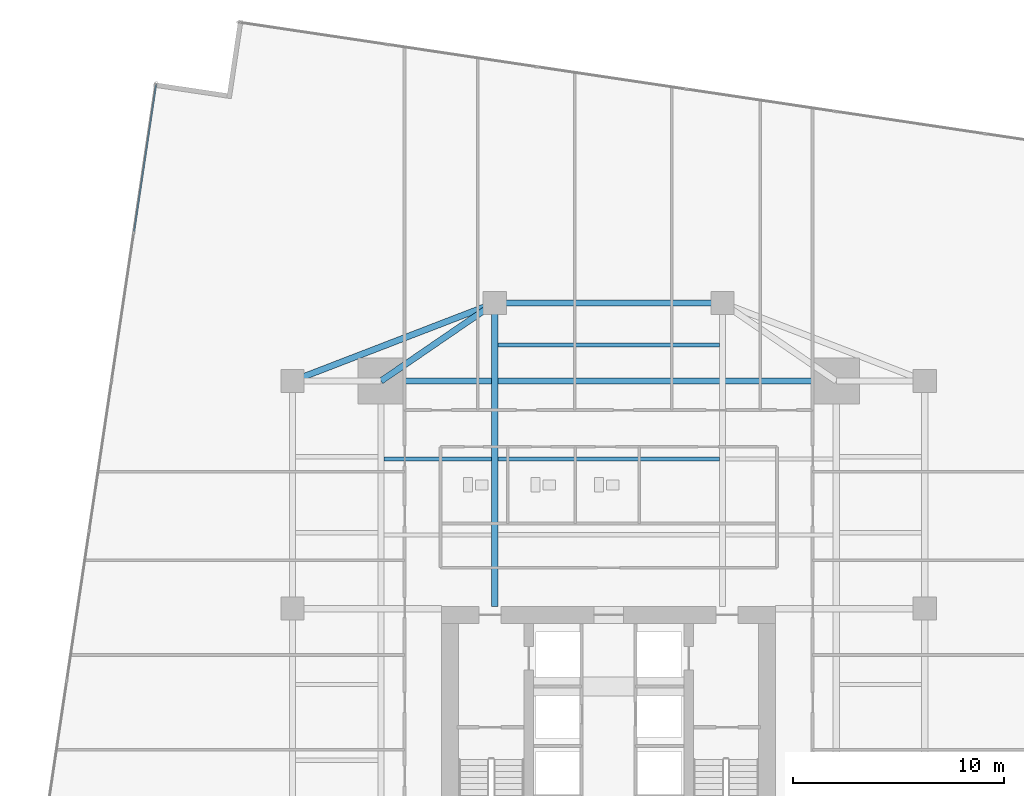
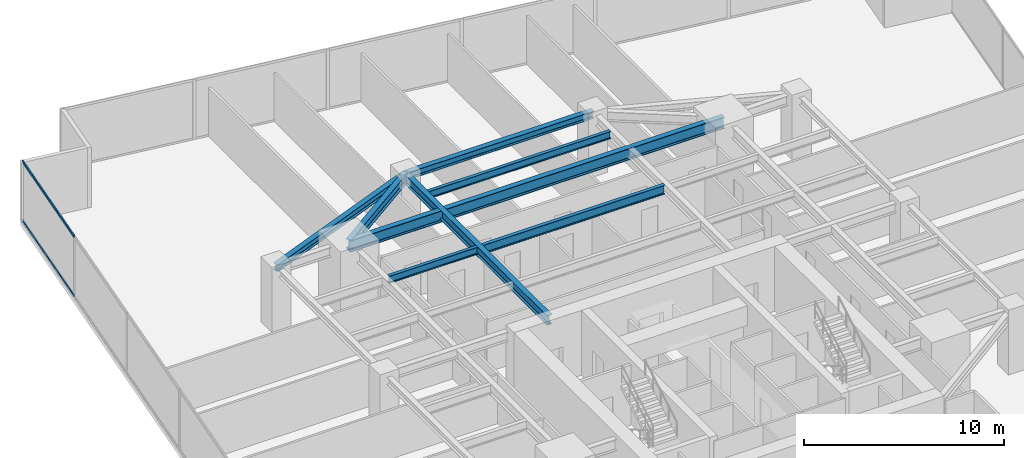
# One storey, part 17 of 29: 8 beams, 2 members, 1 element without a shape of its own.
"""IFC4 building model written with IfcOpenShell, lengths in metres."""

from ifc_helpers import new_model, si_unit, direction, frame, origin, origin_2d, place, context, subcontext, project, spatial, hollow_rectangle, i_section, extrude, source, transform, mapped, material, material_profile, profile_set, type_object, type_shapes, element, aggregate, save


model = new_model("IFC4")

# Units and contexts
model_context = context("Model", 3, precision=1e-05, world=origin(), true_north=direction((0.0, 1.0)))
body_context = subcontext(model_context, "Body", "Model", "MODEL_VIEW")
ifc_project = project(units=[si_unit("LENGTHUNIT", "METRE"), si_unit("AREAUNIT", "SQUARE_METRE"), si_unit("VOLUMEUNIT", "CUBIC_METRE"), si_unit("PLANEANGLEUNIT", "RADIAN"), si_unit("MASSUNIT", "GRAM", prefix="KILO")], contexts=[model_context])

# Site, building, storey
site_placement = place(None, origin())
site = spatial("IfcSite", under=ifc_project, at=site_placement, CompositionType="ELEMENT")
building_placement = place(site_placement, origin())
building = spatial("IfcBuilding", under=site, at=building_placement, Name="Krantzveldt Concourse Tower", CompositionType="ELEMENT")
storey_placement = place(building_placement, frame((0.0, 0.0, 68.449951171875)))
storey = spatial("IfcBuildingStorey", under=building, at=storey_placement, Name="L16", CompositionType="ELEMENT", Elevation=68.449951171875)

# Beams
ifc_material_1 = material(Name="Steel S355J2", Category="steel")
ifc_material_profile_1 = material_profile(ifc_material_1, i_section(OverallWidth=0.300048828125, OverallDepth=0.699951171875, WebThickness=0.01708984375, FlangeThickness=0.031982421875, FilletRadius=0.027099609375, at=origin_2d()), Name="Steel S355J2", Category="steel")
ifc_profile_set_1 = profile_set([ifc_material_profile_1], Name="Steel S355J2 - HEB 700")
beam_type_1 = type_object("IfcBeamType", Name="BM-B-HEB700", PredefinedType="BEAM", material=ifc_profile_set_1)
shared_shape_1 = source(origin(), body_context, "Body", "SweptSolid", [
    extrude(i_section(OverallWidth=0.300048828125, OverallDepth=0.699951171875, WebThickness=0.01708984375, FlangeThickness=0.031982421875, FilletRadius=0.027099609375, at=origin_2d()), origin(), (0.0, 0.0, 1.0), 21.60009765625),
])
type_shapes(beam_type_1, [shared_shape_1])
beam_1_placement = place(storey_placement, frame((25.199951171875, 37.5, 3.320068359375), z_axis=(1.0, 0.0, 0.0), x_axis=(0.0, 1.0, 0.0)))
element("IfcBeam", 1, at=beam_1_placement, inside=storey, type_object=beam_type_1, Name="L16 Tower Girder BG-MN", PredefinedType="BEAM", context=body_context, shape_type="MappedRepresentation", body=[
    mapped(shared_shape_1, transform((0.0, 0.0, 0.0), x_axis=(1.0, 0.0, 0.0), y_axis=(0.0, 1.0, 0.0), z_axis=(0.0, 0.0, 1.0), scale=1.0)),
])
ifc_material_2 = material(Name="Steel S355JR", Category="steel")
ifc_material_profile_2 = material_profile(ifc_material_2, i_section(OverallWidth=0.300048828125, OverallDepth=0.590087890625, WebThickness=0.012939453125, FlangeThickness=0.02490234375, FilletRadius=0.027099609375, at=origin_2d()), Name="Steel S355JR", Category="steel")
ifc_profile_set_2 = profile_set([ifc_material_profile_2], Name="Steel S355JR - HEA 600")
beam_type_2 = type_object("IfcBeamType", Name="BM-B-HEA600", PredefinedType="BEAM", material=ifc_profile_set_2)
shared_shape_2 = source(origin(), body_context, "Body", "SweptSolid", [
    extrude(i_section(OverallWidth=0.300048828125, OverallDepth=0.590087890625, WebThickness=0.012939453125, FlangeThickness=0.02490234375, FilletRadius=0.027099609375, at=origin_2d()), origin(), (0.0, 0.0, 1.0), 14.39990234375),
])
beam_2_placement = place(storey_placement, frame((30.60009765625, 26.800048828125, 3.375), z_axis=(0.0, 1.0, 0.0), x_axis=(-1.0, 0.0, 0.0)))
element("IfcBeam", 2, at=beam_2_placement, inside=storey, type_object=beam_type_2, Name="L16 Tower Girder BG-CNW", PredefinedType="BEAM", context=body_context, shape_type="MappedRepresentation", body=[
    mapped(shared_shape_2, transform((0.0, 0.0, 0.0), x_axis=(1.0, 0.0, 0.0), y_axis=(0.0, 1.0, 0.0), z_axis=(0.0, 0.0, 1.0), scale=1.0)),
])
ifc_material_profile_3 = material_profile(ifc_material_2, i_section(OverallWidth=0.300048828125, OverallDepth=0.43994140625, WebThickness=0.011474609375, FlangeThickness=0.02099609375, FilletRadius=0.027099609375, at=origin_2d()), Name="Steel S355JR", Category="steel")
ifc_profile_set_3 = profile_set([ifc_material_profile_3], Name="Steel S355JR - HEA 450")
beam_type_3 = type_object("IfcBeamType", Name="BM-SP-HEA450", PredefinedType="SPANDREL", material=ifc_profile_set_3)
shared_shape_3 = source(origin(), body_context, "Body", "SweptSolid", [
    extrude(i_section(OverallWidth=0.300048828125, OverallDepth=0.43994140625, WebThickness=0.011474609375, FlangeThickness=0.02099609375, FilletRadius=0.027099609375, at=origin_2d()), origin(), (0.0, 0.0, 1.0), 10.288330078125),
])
beam_3_placement = place(storey_placement, frame((21.0, 37.5, 3.449951171875), z_axis=(0.933097690408, 0.359622997257, 0.0), x_axis=(-0.359622997257, 0.933097690408, 0.0)))
element("IfcBeam", 3, at=beam_3_placement, inside=storey, type_object=beam_type_3, Name="L16 Tower Girder SP-R03", PredefinedType="SPANDREL", context=body_context, shape_type="MappedRepresentation", body=[
    mapped(shared_shape_3, transform((0.0, 0.0, 0.0), x_axis=(1.0, 0.0, 0.0), y_axis=(0.0, 1.0, 0.0), z_axis=(0.0, 0.0, 1.0), scale=1.0)),
])
shared_shape_4 = source(origin(), body_context, "Body", "SweptSolid", [
    extrude(i_section(OverallWidth=0.300048828125, OverallDepth=0.43994140625, WebThickness=0.011474609375, FlangeThickness=0.02099609375, FilletRadius=0.027099609375, at=origin_2d()), origin(), (0.0, 0.0, 1.0), 10.7998046875),
])
type_shapes(beam_type_3, [shared_shape_3, shared_shape_4])
beam_4_placement = place(storey_placement, frame((30.60009765625, 41.199951171875, 3.449951171875), z_axis=(1.0, 0.0, 0.0), x_axis=(0.0, 1.0, 0.0)))
element("IfcBeam", 4, at=beam_4_placement, inside=storey, type_object=beam_type_3, Name="L16 Tower Girder SP-R04", PredefinedType="SPANDREL", context=body_context, shape_type="MappedRepresentation", body=[
    mapped(shared_shape_4, transform((0.0, 0.0, 0.0), x_axis=(1.0, 0.0, 0.0), y_axis=(0.0, 1.0, 0.0), z_axis=(0.0, 0.0, 1.0), scale=1.0)),
])
shared_shape_5 = source(origin(), body_context, "Body", "SweptSolid", [
    extrude(i_section(OverallWidth=0.300048828125, OverallDepth=0.590087890625, WebThickness=0.012939453125, FlangeThickness=0.02490234375, FilletRadius=0.027099609375, at=origin_2d()), origin(), (0.0, 0.0, 1.0), 6.546142578125),
])
type_shapes(beam_type_2, [shared_shape_2, shared_shape_5])
beam_5_placement = place(storey_placement, frame((25.199951171875, 37.5, 3.375), z_axis=(0.824942999484, 0.565215930068, 0.0), x_axis=(-0.565215930068, 0.824942999484, 0.0)))
element("IfcBeam", 5, at=beam_5_placement, inside=storey, type_object=beam_type_2, Name="L16 Tower Girder BR-RL4", PredefinedType="BEAM", context=body_context, shape_type="MappedRepresentation", body=[
    mapped(shared_shape_5, transform((0.0, 0.0, 0.0), x_axis=(1.0, 0.0, 0.0), y_axis=(0.0, 1.0, 0.0), z_axis=(0.0, 0.0, 1.0), scale=1.0)),
])
ifc_material_profile_4 = material_profile(ifc_material_2, i_section(OverallWidth=0.2099609375, OverallDepth=0.550048828125, WebThickness=0.010986328125, FlangeThickness=0.01708984375, FilletRadius=0.02392578125, at=origin_2d()), Name="Steel S355JR", Category="steel")
ifc_profile_set_4 = profile_set([ifc_material_profile_4], Name="Steel S355JR - IPE 550")
beam_type_4 = type_object("IfcBeamType", Name="BM-J-IPE550", PredefinedType="JOIST", material=ifc_profile_set_4)
shared_shape_6 = source(origin(), body_context, "Body", "SweptSolid", [
    extrude(i_section(OverallWidth=0.2099609375, OverallDepth=0.550048828125, WebThickness=0.010986328125, FlangeThickness=0.01708984375, FilletRadius=0.02392578125, at=origin_2d()), origin(), (0.0, 0.0, 1.0), 10.5),
])
type_shapes(beam_type_4, [shared_shape_6])
beam_6_placement = place(storey_placement, frame((30.75, 33.800048828125, 3.39501953125), z_axis=(1.0, 0.0, 0.0), x_axis=(0.0, 1.0, 0.0)))
element("IfcBeam", 6, at=beam_6_placement, inside=storey, type_object=beam_type_4, Name="L16 Secondary Floor Joist JN-C2", PredefinedType="JOIST", context=body_context, shape_type="MappedRepresentation", body=[
    mapped(shared_shape_6, transform((0.0, 0.0, 0.0), x_axis=(1.0, 0.0, 0.0), y_axis=(0.0, 1.0, 0.0), z_axis=(0.0, 0.0, 1.0), scale=1.0)),
])
ifc_material_profile_5 = material_profile(ifc_material_2, i_section(OverallWidth=0.18994140625, OverallDepth=0.449951171875, WebThickness=0.009521484375, FlangeThickness=0.0146484375, FilletRadius=0.02099609375, at=origin_2d()), Name="Steel S355JR", Category="steel")
ifc_profile_set_5 = profile_set([ifc_material_profile_5], Name="Steel S355JR - IPE 450")
beam_type_5 = type_object("IfcBeamType", Name="BM-J-IPE450", PredefinedType="JOIST", material=ifc_profile_set_5)
shared_shape_7 = source(origin(), body_context, "Body", "SweptSolid", [
    extrude(i_section(OverallWidth=0.18994140625, OverallDepth=0.449951171875, WebThickness=0.009521484375, FlangeThickness=0.0146484375, FilletRadius=0.02099609375, at=origin_2d()), origin(), (0.0, 0.0, 1.0), 10.5),
])
beam_7_placement = place(storey_placement, frame((30.75, 39.199951171875, 3.445068359375), z_axis=(1.0, 0.0, 0.0), x_axis=(0.0, 1.0, 0.0)))
element("IfcBeam", 7, at=beam_7_placement, inside=storey, type_object=beam_type_5, Name="L16 Secondary Floor Joist JN-C3", PredefinedType="JOIST", context=body_context, shape_type="MappedRepresentation", body=[
    mapped(shared_shape_7, transform((0.0, 0.0, 0.0), x_axis=(1.0, 0.0, 0.0), y_axis=(0.0, 1.0, 0.0), z_axis=(0.0, 0.0, 1.0), scale=1.0)),
])
shared_shape_8 = source(origin(), body_context, "Body", "SweptSolid", [
    extrude(i_section(OverallWidth=0.18994140625, OverallDepth=0.449951171875, WebThickness=0.009521484375, FlangeThickness=0.0146484375, FilletRadius=0.02099609375, at=origin_2d()), origin(), (0.0, 0.0, 1.0), 5.099853515625),
])
type_shapes(beam_type_5, [shared_shape_7, shared_shape_8])
beam_8_placement = place(storey_placement, frame((25.35009765625, 33.800048828125, 3.445068359375), z_axis=(1.0, 0.0, 0.0), x_axis=(0.0, 1.0, 0.0)))
element("IfcBeam", 8, at=beam_8_placement, inside=storey, type_object=beam_type_5, Name="L16 Secondary Floor Joist JN-W2", PredefinedType="JOIST", context=body_context, shape_type="MappedRepresentation", body=[
    mapped(shared_shape_8, transform((0.0, 0.0, 0.0), x_axis=(1.0, 0.0, 0.0), y_axis=(0.0, 1.0, 0.0), z_axis=(0.0, 0.0, 1.0), scale=1.0)),
])

# Curtain wall, members
ifc_material_3 = material(Name="Anodised aluminium 6063-T6", Category="aluminium")
curtain_wall_type = type_object("IfcCurtainWallType", Name="CW2", PredefinedType="USERDEFINED", material=ifc_material_3)
curtain_wall_placement = place(storey_placement, origin())
curtain_wall = element("IfcCurtainWall", 9, at=curtain_wall_placement, inside=storey, type_object=curtain_wall_type, Name="CW-L16-F01", ObjectType="UNITISED CURTAIN WALL", PredefinedType="USERDEFINED")
ifc_material_profile_6 = material_profile(ifc_material_3, hollow_rectangle(XDim=0.070068359375, YDim=0.139892578125, WallThickness=0.0048828125, at=origin_2d()), Name="Anodised aluminium 6063-T6", Category="aluminium")
ifc_profile_set_6 = profile_set([ifc_material_profile_6], Name="Anodised aluminium 6063-T6 - ALU-TRAN 140x70x5")
member_type = type_object("IfcMemberType", Name="CW-TRN-150", PredefinedType="USERDEFINED", material=ifc_profile_set_6)
shared_shape_9 = source(origin(), body_context, "Body", "SweptSolid", [
    extrude(hollow_rectangle(XDim=0.070068359375, YDim=0.139892578125, WallThickness=0.0048828125, at=origin_2d()), origin(), (0.0, 0.0, 1.0), 7.061767578125),
])
type_shapes(member_type, [shared_shape_9])
member_1_placement = place(storey_placement, frame((14.53125, 51.57666015625, 0.03515625), z_axis=(-0.147831568187, -0.989012551714, 0.0), x_axis=(0.989012551714, -0.147831568187, 0.0)))
member_1 = element("IfcMember", 10, at=member_1_placement, type_object=member_type, Name="CW-Z12 transom 1.1", ObjectType="TRANSOM", PredefinedType="USERDEFINED", context=body_context, shape_type="MappedRepresentation", body=[
    mapped(shared_shape_9, transform((0.0, 0.0, 0.0), x_axis=(1.0, 0.0, 0.0), y_axis=(0.0, 1.0, 0.0), z_axis=(0.0, 0.0, 1.0), scale=1.0)),
])
member_2_placement = place(storey_placement, frame((14.53125, 51.57666015625, 3.635009765625), z_axis=(-0.147831568187, -0.989012551714, 0.0), x_axis=(0.989012551714, -0.147831568187, 0.0)))
member_2 = element("IfcMember", 11, at=member_2_placement, type_object=member_type, Name="CW-Z12 transom 1.2", ObjectType="TRANSOM", PredefinedType="USERDEFINED", context=body_context, shape_type="MappedRepresentation", body=[
    mapped(shared_shape_9, transform((0.0, 0.0, 0.0), x_axis=(1.0, 0.0, 0.0), y_axis=(0.0, 1.0, 0.0), z_axis=(0.0, 0.0, 1.0), scale=1.0)),
])
aggregate(curtain_wall, [member_1, member_2])

save(model, "model.ifc")
